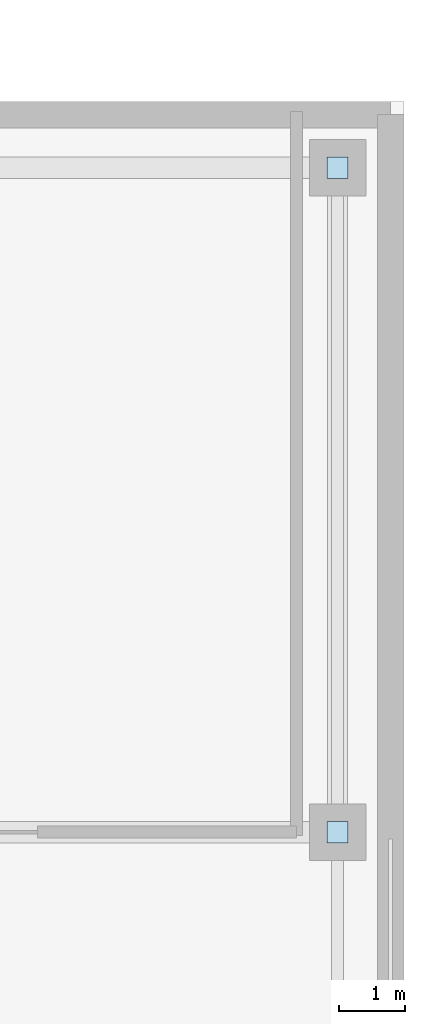
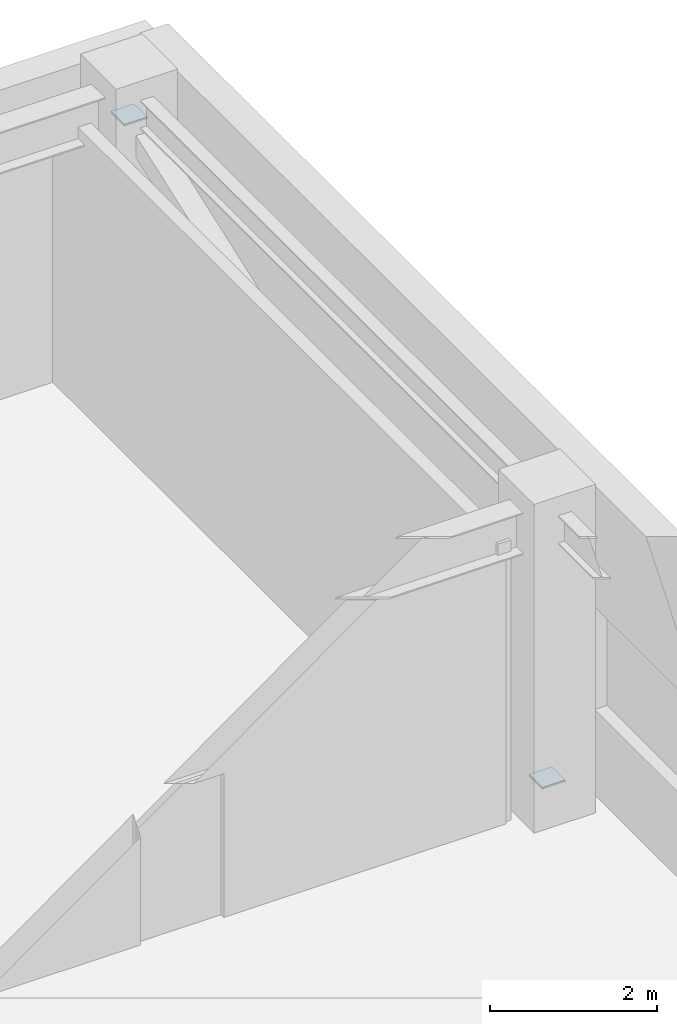
# One storey, part 26 of 36: 2 plates.
"""IFC4 building model written with IfcOpenShell, lengths in metres."""

from ifc_helpers import new_model, si_unit, direction, frame, origin, origin_2d, place, context, subcontext, project, spatial, rectangle, extrude, material, layer, layer_set, type_object, element, save


model = new_model("IFC4")

# Units and contexts
model_context = context("Model", 3, precision=1e-05, world=origin(), true_north=direction((0.0, 1.0)))
body_context = subcontext(model_context, "Body", "Model", "MODEL_VIEW")
ifc_project = project(units=[si_unit("LENGTHUNIT", "METRE"), si_unit("AREAUNIT", "SQUARE_METRE"), si_unit("VOLUMEUNIT", "CUBIC_METRE"), si_unit("PLANEANGLEUNIT", "RADIAN"), si_unit("MASSUNIT", "GRAM", prefix="KILO")], contexts=[model_context])

# Site, building, storey
site_placement = place(None, origin())
site = spatial("IfcSite", under=ifc_project, at=site_placement, CompositionType="ELEMENT")
building_placement = place(site_placement, origin())
building = spatial("IfcBuilding", under=site, at=building_placement, Name="Kazevale Care Tower and Concert Hall", CompositionType="ELEMENT")
storey_placement = place(building_placement, frame((0.0, 0.0, 14.39990234375)))
storey = spatial("IfcBuildingStorey", under=building, at=storey_placement, Name="L03", CompositionType="ELEMENT", Elevation=14.39990234375)

# Plates
ifc_material = material(Name="Steel ASTM A572 Gr 50", Category="steel")
ifc_layer = layer(ifc_material, 0.02490234375)
ifc_layer_set = layer_set([ifc_layer], Name="Steel ASTM A572 Gr 50")
plate_type = type_object("IfcPlateType", Name="Hollow Section End Cap Plate 25mm", PredefinedType="USERDEFINED", material=ifc_layer_set)
for number, where, z_axis, x_axis, name in (
    (1, (145.0, 47.0, 0.3876953125), (0.0, 0.0, 1.0), (1.0, 0.0, 0.0), "brace:L03:hwW:cap0"),
    (2, (145.0, 57.0, 4.007568359375), (0.0, 0.0, 1.0), (1.0, 0.0, 0.0), "brace:L03:hwW:cap1"),
):
    element("IfcPlate", number, at=place(storey_placement, frame(where, z_axis=z_axis, x_axis=x_axis)), inside=storey, type_object=plate_type, Name=name, ObjectType="END_CAP_PLATE", PredefinedType="USERDEFINED", context=body_context, shape_type="SweptSolid", body=[
        extrude(rectangle(XDim=0.320068359375, YDim=0.320068359375, at=origin_2d()), origin(), (0.0, 0.0, 1.0), 0.02490234375),
    ])

save(model, "model.ifc")
